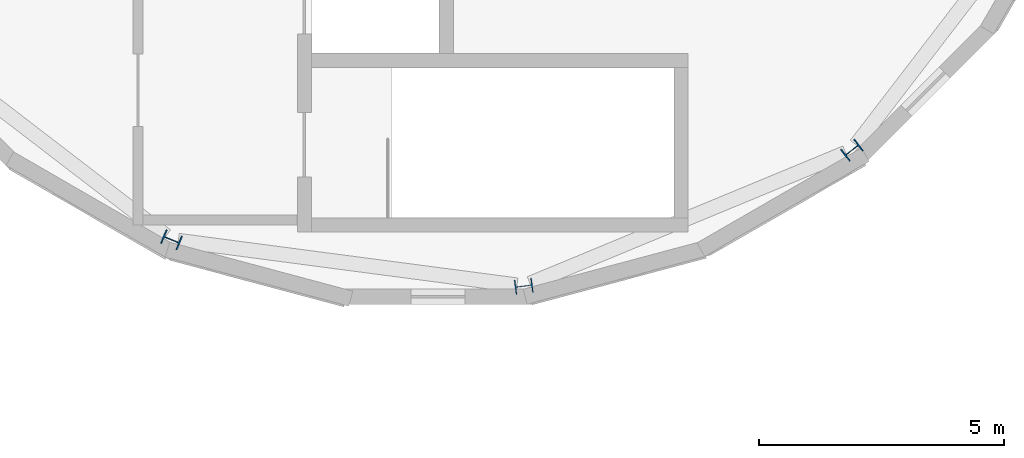
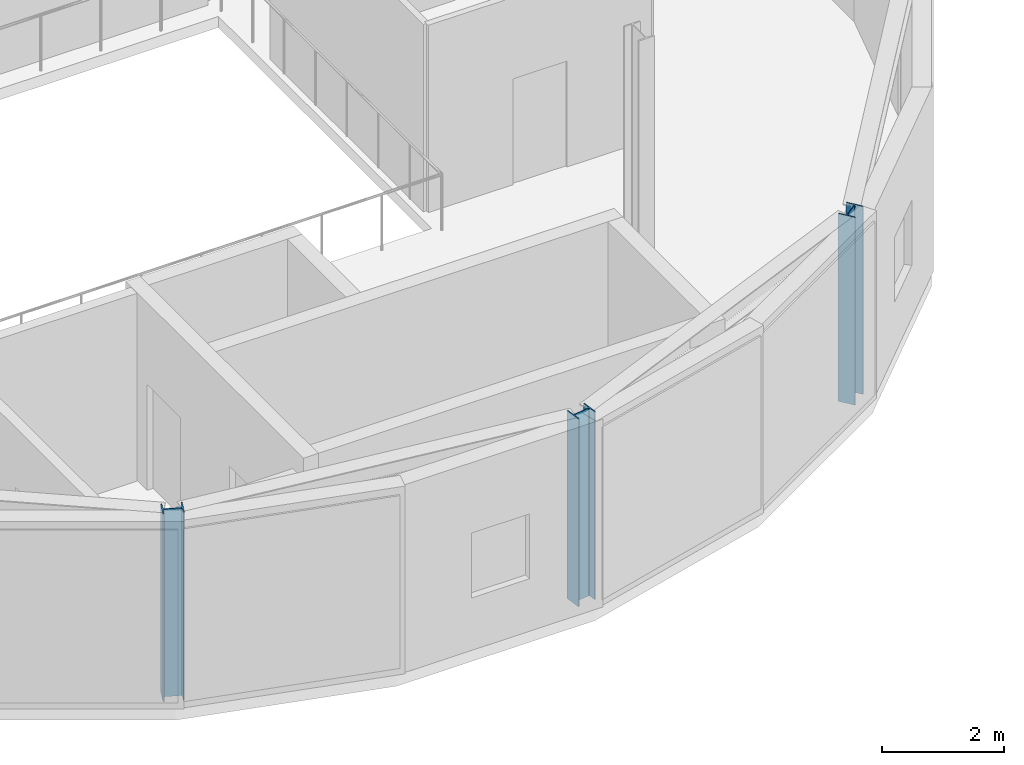
# One storey, part 1 of 44: 3 columns.
"""IFC4 building model written with IfcOpenShell, lengths in metres."""

from ifc_helpers import new_model, si_unit, direction, frame, origin, origin_2d, place, context, subcontext, project, spatial, i_section, extrude, material, material_profile, profile_set, type_object, element, save


model = new_model("IFC4")

# Units and contexts
model_context = context("Model", 3, precision=1e-05, world=origin(), true_north=direction((0.0, 1.0)))
body_context = subcontext(model_context, "Body", "Model", "MODEL_VIEW")
ifc_project = project(units=[si_unit("LENGTHUNIT", "METRE"), si_unit("AREAUNIT", "SQUARE_METRE"), si_unit("VOLUMEUNIT", "CUBIC_METRE"), si_unit("PLANEANGLEUNIT", "RADIAN"), si_unit("MASSUNIT", "GRAM", prefix="KILO")], contexts=[model_context])

# Site, building, storey
site_placement = place(None, origin())
site = spatial("IfcSite", under=ifc_project, at=site_placement, CompositionType="ELEMENT")
building_placement = place(site_placement, origin())
building = spatial("IfcBuilding", under=site, at=building_placement, Name="Varnklinge Art Gallery", CompositionType="ELEMENT")
storey_placement = place(building_placement, frame((0.0, 0.0, 13.679931640625)))
storey = spatial("IfcBuildingStorey", under=building, at=storey_placement, Name="L03", CompositionType="ELEMENT", Elevation=13.679931640625)

# Columns
ifc_material = material(Name="Steel S355", Category="steel")
ifc_material_profile = material_profile(ifc_material, i_section(OverallWidth=0.300048828125, OverallDepth=0.360107421875, WebThickness=0.012451171875, FlangeThickness=0.0224609375, FilletRadius=0.027099609375, at=origin_2d()), Name="HEB 360")
ifc_profile_set = profile_set([ifc_material_profile], Name="Steel S355")
column_type = type_object("IfcColumnType", Name="COL-E4", PredefinedType="COLUMN", material=ifc_profile_set)
for number, where, z_axis, x_axis, name in (
    (1, (16.434814453125, 39.047119140625, 0.0), (0.0, 0.0, 1.0), (-0.382683432365, -0.923879532511, 0.0), "L03 Column V3CP-09"),
    (2, (23.6298828125, 38.099853515625, 0.0), (0.0, 0.0, 1.0), (0.13052619222, -0.991444861374, 0.0), "L03 Column V3CP-10"),
    (3, (30.334716796875, 40.877197265625, 0.0), (0.0, 0.0, 1.0), (0.608761429009, -0.793353340291, 0.0), "L03 Column V3CP-11"),
):
    element("IfcColumn", number, at=place(storey_placement, frame(where, z_axis=z_axis, x_axis=x_axis)), inside=storey, type_object=column_type, Name=name, PredefinedType="COLUMN", context=body_context, shape_type="SweptSolid", body=[
        extrude(i_section(OverallWidth=0.300048828125, OverallDepth=0.360107421875, WebThickness=0.012451171875, FlangeThickness=0.0224609375, FilletRadius=0.027099609375, at=origin_2d()), origin(), (0.0, 0.0, 1.0), 3.760009765625),
    ])

save(model, "model.ifc")
